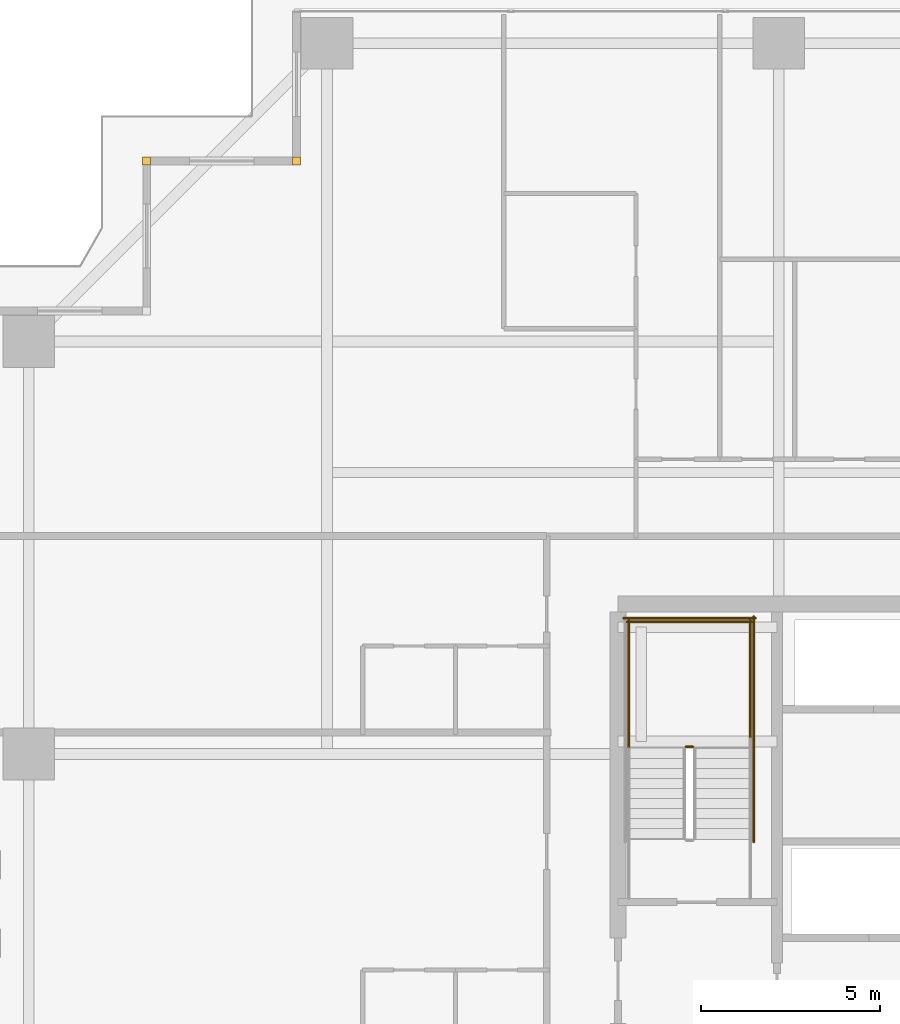
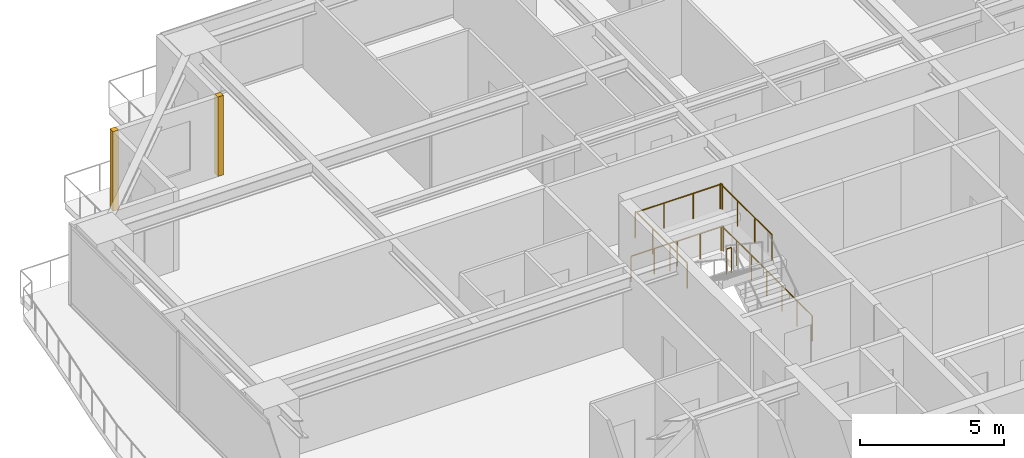
# One storey, part 39 of 40: 6 railings, 2 coverings.
"""IFC4 building model written with IfcOpenShell, lengths in metres."""

from ifc_helpers import new_model, si_unit, direction, frame, origin, origin_2d, place, context, subcontext, project, spatial, rectangle, circle, extrude, source, transform, mapped, material, layer, layer_set, type_object, element, save


model = new_model("IFC4")

# Units and contexts
model_context = context("Model", 3, precision=1e-05, world=origin(), true_north=direction((0.0, 1.0)))
body_context = subcontext(model_context, "Body", "Model", "MODEL_VIEW")
ifc_project = project(units=[si_unit("LENGTHUNIT", "METRE"), si_unit("AREAUNIT", "SQUARE_METRE"), si_unit("VOLUMEUNIT", "CUBIC_METRE"), si_unit("PLANEANGLEUNIT", "RADIAN"), si_unit("MASSUNIT", "GRAM", prefix="KILO")], contexts=[model_context])

# Site, building, storey
site_placement = place(None, origin())
site = spatial("IfcSite", under=ifc_project, at=site_placement, CompositionType="ELEMENT")
building_placement = place(site_placement, origin())
building = spatial("IfcBuilding", under=site, at=building_placement, Name="Serunith Strait Residences", CompositionType="ELEMENT")
storey_placement = place(building_placement, frame((0.0, 0.0, 105.449951171875)))
storey = spatial("IfcBuildingStorey", under=building, at=storey_placement, Name="L26", CompositionType="ELEMENT", Elevation=105.449951171875)

# Railings
ifc_material_1 = material(Name="Brushed stainless steel 316L", Category="steel")
railing_type = type_object("IfcRailingType", Name="RLG-STAIR-GUARD", PredefinedType="BALUSTRADE", material=ifc_material_1)
railing_1_placement = place(storey_placement, frame((25.5, 29.60009765625, 1.875)))
element("IfcRailing", 1, at=railing_1_placement, inside=storey, type_object=railing_type, Name="L26 ST-1 stair guard 2", PredefinedType="BALUSTRADE", context=body_context, shape_type="SweptSolid", body=[
    extrude(circle(Radius=0.02392578125, at=origin_2d()), frame((-0.001953125, 0.0, 1.076171875), z_axis=(-1.0, 0.0, 0.0), x_axis=(0.0, -1.0, 0.0)), (0.0, 0.0, 1.0), 0.196044921875),
    extrude(circle(Radius=0.02099609375, at=origin_2d()), origin(), (0.0, 0.0, 1.0), 1.050048828125),
    extrude(circle(Radius=0.02099609375, at=origin_2d()), frame((-0.199951171875, 0.0, 0.0)), (0.0, 0.0, 1.0), 1.050048828125),
])
for number, where, name in (
    (2, (27.10009765625, 29.550048828125, 1.875), "L26 ST-1 stair guard 3"),
    (3, (23.699951171875, 29.550048828125, 1.875), "L26 ST-1 stair guard 4"),
):
    element("IfcRailing", number, at=place(storey_placement, frame(where)), inside=storey, type_object=railing_type, Name=name, PredefinedType="BALUSTRADE", context=body_context, shape_type="SweptSolid", body=[
        extrude(circle(Radius=0.02392578125, at=origin_2d()), frame((0.0, 0.001953125, 1.076171875), z_axis=(0.0, 1.0, 0.0), x_axis=(-1.0, 0.0, 0.0)), (0.0, 0.0, 1.0), 3.595947265625),
        extrude(circle(Radius=0.02099609375, at=origin_2d()), origin(), (0.0, 0.0, 1.0), 1.050048828125),
        extrude(circle(Radius=0.02099609375, at=origin_2d()), frame((0.0, 1.199951171875, 0.0)), (0.0, 0.0, 1.0), 1.050048828125),
        extrude(circle(Radius=0.02099609375, at=origin_2d()), frame((0.0, 2.39990234375, 0.0)), (0.0, 0.0, 1.0), 1.050048828125),
        extrude(circle(Radius=0.02099609375, at=origin_2d()), frame((0.0, 3.599853515625, 0.0)), (0.0, 0.0, 1.0), 1.050048828125),
    ])
railing_2_placement = place(storey_placement, frame((27.14990234375, 33.10009765625, 1.875)))
element("IfcRailing", 4, at=railing_2_placement, inside=storey, type_object=railing_type, Name="L26 ST-1 stair guard 5", PredefinedType="BALUSTRADE", context=body_context, shape_type="SweptSolid", body=[
    extrude(circle(Radius=0.02392578125, at=origin_2d()), frame((-0.001953125, 0.0, 1.076171875), z_axis=(-1.0, 0.0, 0.0), x_axis=(0.0, -1.0, 0.0)), (0.0, 0.0, 1.0), 3.49609375),
    extrude(circle(Radius=0.02099609375, at=origin_2d()), origin(), (0.0, 0.0, 1.0), 1.050048828125),
    extrude(circle(Radius=0.02099609375, at=origin_2d()), frame((-1.166748046875, 0.0, 0.0)), (0.0, 0.0, 1.0), 1.050048828125),
    extrude(circle(Radius=0.02099609375, at=origin_2d()), frame((-2.333251953125, 0.0, 0.0)), (0.0, 0.0, 1.0), 1.050048828125),
    extrude(circle(Radius=0.02099609375, at=origin_2d()), frame((-3.5, 0.0, 0.0)), (0.0, 0.0, 1.0), 1.050048828125),
])
railing_3_placement = place(storey_placement, frame((27.199951171875, 26.929931640625, 0.0)))
element("IfcRailing", 5, at=railing_3_placement, inside=storey, type_object=railing_type, Name="L26 ST-1 stair guard 10", PredefinedType="BALUSTRADE", context=body_context, shape_type="SweptSolid", body=[
    extrude(circle(Radius=0.02392578125, at=origin_2d()), frame((0.0, 0.001953125, 1.076171875), z_axis=(0.0, 1.0, 0.0), x_axis=(-1.0, 0.0, 0.0)), (0.0, 0.0, 1.0), 6.316162109375),
    extrude(circle(Radius=0.02099609375, at=origin_2d()), origin(), (0.0, 0.0, 1.0), 1.050048828125),
    extrude(circle(Radius=0.02099609375, at=origin_2d()), frame((0.0, 1.05322265625, 0.0)), (0.0, 0.0, 1.0), 1.050048828125),
    extrude(circle(Radius=0.02099609375, at=origin_2d()), frame((0.0, 2.106689453125, 0.0)), (0.0, 0.0, 1.0), 1.050048828125),
    extrude(circle(Radius=0.02099609375, at=origin_2d()), frame((0.0, 3.16015625, 0.0)), (0.0, 0.0, 1.0), 1.050048828125),
    extrude(circle(Radius=0.02099609375, at=origin_2d()), frame((0.0, 4.21337890625, 0.0)), (0.0, 0.0, 1.0), 1.050048828125),
    extrude(circle(Radius=0.02099609375, at=origin_2d()), frame((0.0, 5.2666015625, 0.0)), (0.0, 0.0, 1.0), 1.050048828125),
    extrude(circle(Radius=0.02099609375, at=origin_2d()), frame((0.0, 6.320068359375, 0.0)), (0.0, 0.0, 1.0), 1.050048828125),
])
railing_4_placement = place(storey_placement, frame((27.25, 33.199951171875, 0.0)))
element("IfcRailing", 6, at=railing_4_placement, inside=storey, type_object=railing_type, Name="L26 ST-1 stair guard 12", PredefinedType="BALUSTRADE", context=body_context, shape_type="SweptSolid", body=[
    extrude(circle(Radius=0.02392578125, at=origin_2d()), frame((-0.001953125, 0.0, 1.076171875), z_axis=(-1.0, 0.0, 0.0), x_axis=(0.0, -1.0, 0.0)), (0.0, 0.0, 1.0), 3.696044921875),
    extrude(circle(Radius=0.02099609375, at=origin_2d()), origin(), (0.0, 0.0, 1.0), 1.050048828125),
    extrude(circle(Radius=0.02099609375, at=origin_2d()), frame((-0.925048828125, 0.0, 0.0)), (0.0, 0.0, 1.0), 1.050048828125),
    extrude(circle(Radius=0.02099609375, at=origin_2d()), frame((-1.85009765625, 0.0, 0.0)), (0.0, 0.0, 1.0), 1.050048828125),
    extrude(circle(Radius=0.02099609375, at=origin_2d()), frame((-2.77490234375, 0.0, 0.0)), (0.0, 0.0, 1.0), 1.050048828125),
    extrude(circle(Radius=0.02099609375, at=origin_2d()), frame((-3.699951171875, 0.0, 0.0)), (0.0, 0.0, 1.0), 1.050048828125),
])

# Coverings
ifc_material_2 = material(Name="Pale-Champagne Anodised Aluminium", Category="aluminium")
ifc_layer = layer(ifc_material_2, 0.219970703125, Name="Pale-Champagne Anodised Aluminium")
ifc_layer_set = layer_set([ifc_layer], Name="Pale-Champagne Anodised Aluminium")
covering_type = type_object("IfcCoveringType", Name="COV-CORN-TRIM", PredefinedType="CLADDING", material=ifc_layer_set)
shared_shape = source(origin(), body_context, "Body", "SweptSolid", [
    extrude(rectangle(XDim=0.221923828125, YDim=0.221923828125, at=origin_2d()), origin(), (0.0, 0.0, 1.0), 3.375),
])
for number, where, z_axis, x_axis, name in (
    (7, (14.39990234375, 46.0, 0.0), (0.0, 0.0, 1.0), (1.0, 0.0, 0.0), "L26 Girih Serrated Corner Trim Post 12"),
    (8, (10.199951171875, 46.0, 0.0), (0.0, 0.0, 1.0), (1.0, 0.0, 0.0), "L26 Girih Serrated Corner Trim Post 13"),
):
    element("IfcCovering", number, at=place(storey_placement, frame(where, z_axis=z_axis, x_axis=x_axis)), inside=storey, type_object=covering_type, Name=name, PredefinedType="CLADDING", context=body_context, shape_type="MappedRepresentation", body=[
        mapped(shared_shape, transform((0.0, 0.0, 0.0), scale=1.0)),
    ])

save(model, "model.ifc")
